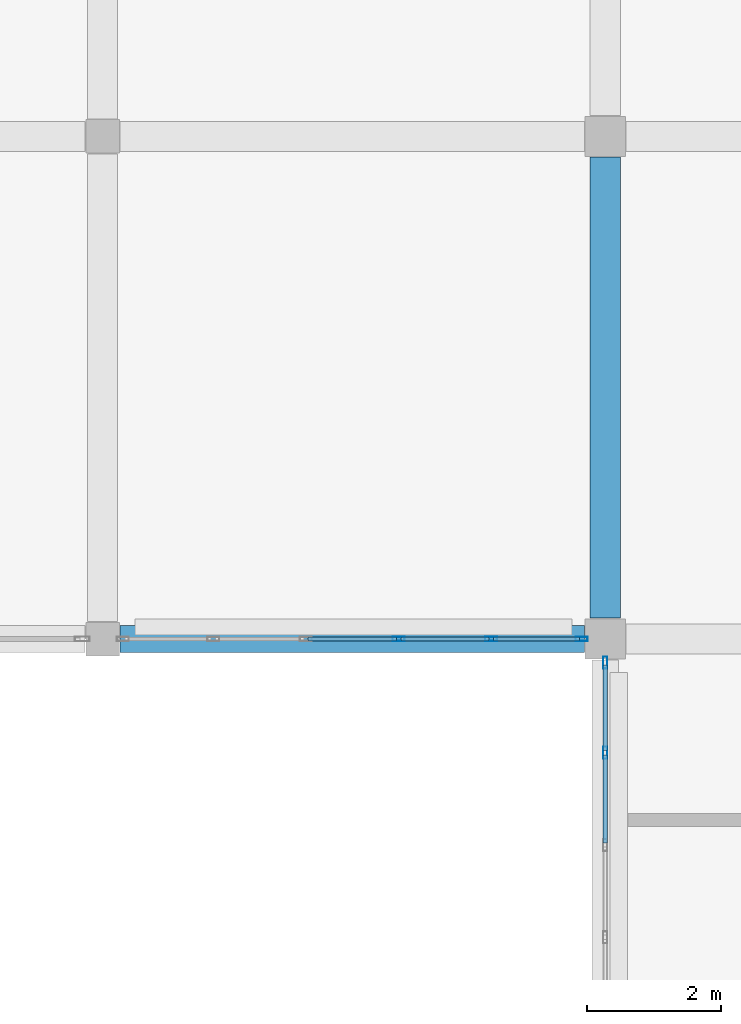
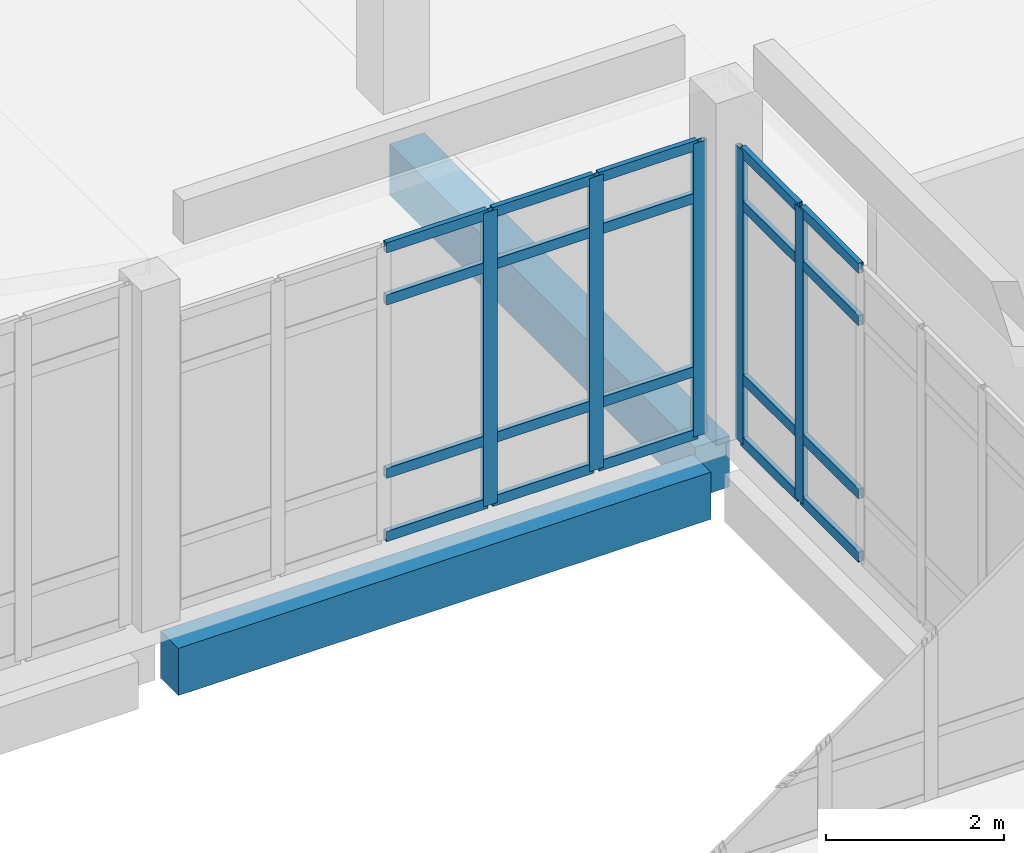
# One storey, part 68 of 173: 25 members, 2 beams, 2 elements without a shape of their own.
"""IFC4 building model written with IfcOpenShell, lengths in metres."""

from ifc_helpers import new_model, si_unit, direction, frame, origin, origin_2d, place, context, subcontext, project, spatial, rectangle, hollow_rectangle, extrude, material, layer, layer_set, material_profile, profile_set, type_object, element, aggregate, save


model = new_model("IFC4")

# Units and contexts
model_context = context("Model", 3, precision=1e-05, world=origin(), true_north=direction((0.0, 1.0)))
body_context = subcontext(model_context, "Body", "Model", "MODEL_VIEW")
ifc_project = project(units=[si_unit("LENGTHUNIT", "METRE"), si_unit("AREAUNIT", "SQUARE_METRE"), si_unit("VOLUMEUNIT", "CUBIC_METRE"), si_unit("PLANEANGLEUNIT", "RADIAN"), si_unit("MASSUNIT", "GRAM", prefix="KILO")], contexts=[model_context])

# Site, building, storey
site_placement = place(None, origin())
site = spatial("IfcSite", under=ifc_project, at=site_placement, CompositionType="ELEMENT")
building_placement = place(site_placement, origin())
building = spatial("IfcBuilding", under=site, at=building_placement, Name="Mawjan Specialist Oncology Clinic", CompositionType="ELEMENT")
storey_placement = place(building_placement, origin())
storey = spatial("IfcBuildingStorey", under=building, at=storey_placement, Name="L00", CompositionType="ELEMENT", Elevation=0.0)

# Beam
ifc_material_1 = material(Name="Concrete C40/50", Category="concrete")
ifc_material_profile_1 = material_profile(ifc_material_1, rectangle(XDim=0.449951171875, YDim=0.699951171875, at=origin_2d()), Name="RC BM 450x700", Category="concrete")
ifc_profile_set_1 = profile_set([ifc_material_profile_1], Name="Concrete C40/50")
beam_type_1 = type_object("IfcBeamType", Name="BM-450x700", PredefinedType="BEAM", material=ifc_profile_set_1)
beam_1_placement = place(storey_placement, frame((45.0, 83.610107421875, -0.77001953125), z_axis=(0.0, 1.0, 0.0), x_axis=(-1.0, 0.0, 0.0)))
element("IfcBeam", 1, at=beam_1_placement, inside=storey, type_object=beam_type_1, Name="L00 Collector Beam BM-L00-0123", PredefinedType="BEAM", context=body_context, shape_type="SweptSolid", body=[
    extrude(rectangle(XDim=0.449951171875, YDim=0.699951171875, at=origin_2d()), origin(), (0.0, 0.0, 1.0), 6.8798828125),
])

# Curtain wall, members
ifc_material_2 = material(Name="Unitised spectrally selective aluminium curtain wall", Category="aluminium")
ifc_layer_1 = layer(ifc_material_2, 0.179931640625, Name="Unitised spectrally selective aluminium curtain wall", Category="aluminium")
ifc_layer_set_1 = layer_set([ifc_layer_1], Name="Unitised spectrally selective aluminium curtain wall")
curtain_wall_type_1 = type_object("IfcCurtainWallType", Name="CW-10", PredefinedType="NOTDEFINED", material=ifc_layer_set_1)
curtain_wall_1_placement = place(storey_placement, origin())
curtain_wall_1 = element("IfcCurtainWall", 2, at=curtain_wall_1_placement, inside=storey, type_object=curtain_wall_type_1, Name="L00 Unitised Curtain Wall CW-L00-015", PredefinedType="NOTDEFINED")
ifc_material_3 = material(Name="Thermally broken aluminium 6063-T6", Category="aluminium")
ifc_material_profile_2 = material_profile(ifc_material_3, hollow_rectangle(XDim=0.06494140625, YDim=0.179931640625, WallThickness=0.00390625, at=origin_2d()), Name="ALU MULLION 180x65x4", Category="aluminium")
ifc_profile_set_2 = profile_set([ifc_material_profile_2], Name="Thermally broken aluminium 6063-T6")
member_type_1 = type_object("IfcMemberType", Name="CW-M180", PredefinedType="MULLION", material=ifc_profile_set_2)
member_1_placement = place(storey_placement, frame((45.0, 81.60302734375, 0.0), z_axis=(0.0, 0.0, 1.0), x_axis=(-1.0, 0.0, 0.0)))
member_1 = element("IfcMember", 3, at=member_1_placement, type_object=member_type_1, Name="CW-10 mullion 5", PredefinedType="MULLION", context=body_context, shape_type="SweptSolid", body=[
    extrude(hollow_rectangle(XDim=0.06494140625, YDim=0.179931640625, WallThickness=0.00390625, at=origin_2d()), origin(), (0.0, 0.0, 1.0), 4.034912109375),
])
member_2_placement = place(storey_placement, frame((45.0, 82.947509765625, 0.0), z_axis=(0.0, 0.0, 1.0), x_axis=(-1.0, 0.0, 0.0)))
member_2 = element("IfcMember", 4, at=member_2_placement, type_object=member_type_1, Name="CW-10 mullion 6", PredefinedType="MULLION", context=body_context, shape_type="SweptSolid", body=[
    extrude(hollow_rectangle(XDim=0.06494140625, YDim=0.179931640625, WallThickness=0.00390625, at=origin_2d()), origin(), (0.0, 0.0, 1.0), 4.034912109375),
])

ifc_material_4 = material(Name="Unitised spectrally selective aluminium curtain wall", Category="aluminium")
ifc_layer_2 = layer(ifc_material_4, 0.179931640625, Name="Unitised spectrally selective aluminium curtain wall", Category="aluminium")
ifc_layer_set_2 = layer_set([ifc_layer_2], Name="Unitised spectrally selective aluminium curtain wall")
curtain_wall_type_2 = type_object("IfcCurtainWallType", Name="CW-09", PredefinedType="NOTDEFINED", material=ifc_layer_set_2)
curtain_wall_2_placement = place(storey_placement, origin())
curtain_wall_2 = element("IfcCurtainWall", 5, at=curtain_wall_2_placement, inside=storey, type_object=curtain_wall_type_2, Name="L00 Unitised Curtain Wall CW-L00-016", PredefinedType="NOTDEFINED")
member_3_placement = place(storey_placement, frame((44.6474609375, 83.300048828125, 0.0), z_axis=(0.0, 0.0, 1.0), x_axis=(0.0, -1.0, 0.0)))
member_3 = element("IfcMember", 6, at=member_3_placement, type_object=member_type_1, Name="CW-09 mullion 1", PredefinedType="MULLION", context=body_context, shape_type="SweptSolid", body=[
    extrude(hollow_rectangle(XDim=0.06494140625, YDim=0.179931640625, WallThickness=0.00390625, at=origin_2d()), origin(), (0.0, 0.0, 1.0), 4.034912109375),
])
member_4_placement = place(storey_placement, frame((43.298095703125, 83.300048828125, 0.0), z_axis=(0.0, 0.0, 1.0), x_axis=(0.0, -1.0, 0.0)))
member_4 = element("IfcMember", 7, at=member_4_placement, type_object=member_type_1, Name="CW-09 mullion 2", PredefinedType="MULLION", context=body_context, shape_type="SweptSolid", body=[
    extrude(hollow_rectangle(XDim=0.06494140625, YDim=0.179931640625, WallThickness=0.00390625, at=origin_2d()), origin(), (0.0, 0.0, 1.0), 4.034912109375),
])
member_5_placement = place(storey_placement, frame((41.916015625, 83.300048828125, 0.0), z_axis=(0.0, 0.0, 1.0), x_axis=(0.0, -1.0, 0.0)))
member_5 = element("IfcMember", 8, at=member_5_placement, type_object=member_type_1, Name="CW-09 mullion 3", PredefinedType="MULLION", context=body_context, shape_type="SweptSolid", body=[
    extrude(hollow_rectangle(XDim=0.06494140625, YDim=0.179931640625, WallThickness=0.00390625, at=origin_2d()), origin(), (0.0, 0.0, 1.0), 4.034912109375),
])

# Member
ifc_material_5 = material(Name="Thermally broken aluminium 6063-T6", Category="aluminium")
ifc_material_profile_3 = material_profile(ifc_material_5, hollow_rectangle(XDim=0.06494140625, YDim=0.139892578125, WallThickness=0.00390625, at=origin_2d()), Name="ALU TRANSOM 140x65x4", Category="aluminium")
ifc_profile_set_3 = profile_set([ifc_material_profile_3], Name="Thermally broken aluminium 6063-T6")
member_type_2 = type_object("IfcMemberType", Name="CW-T140", PredefinedType="USERDEFINED", material=ifc_profile_set_3)
member_6_placement = place(storey_placement, frame((45.0, 80.258544921875, 0.032470703125), z_axis=(0.0, 1.0, 0.0), x_axis=(-1.0, 0.0, 0.0)))
member_6 = element("IfcMember", 9, at=member_6_placement, type_object=member_type_2, Name="CW-10 transom 4.1", ObjectType="TRANSOM", PredefinedType="USERDEFINED", context=body_context, shape_type="SweptSolid", body=[
    extrude(hollow_rectangle(XDim=0.06494140625, YDim=0.139892578125, WallThickness=0.00390625, at=origin_2d()), origin(), (0.0, 0.0, 1.0), 1.31201171875),
])

member_7_placement = place(storey_placement, frame((45.0, 80.258544921875, 0.89990234375), z_axis=(0.0, 1.0, 0.0), x_axis=(-1.0, 0.0, 0.0)))
member_7 = element("IfcMember", 10, at=member_7_placement, type_object=member_type_2, Name="CW-10 transom 4.2", ObjectType="TRANSOM", PredefinedType="USERDEFINED", context=body_context, shape_type="SweptSolid", body=[
    extrude(hollow_rectangle(XDim=0.06494140625, YDim=0.139892578125, WallThickness=0.00390625, at=origin_2d()), origin(), (0.0, 0.0, 1.0), 1.31201171875),
])

member_8_placement = place(storey_placement, frame((45.0, 80.258544921875, 3.284912109375), z_axis=(0.0, 1.0, 0.0), x_axis=(-1.0, 0.0, 0.0)))
member_8 = element("IfcMember", 11, at=member_8_placement, type_object=member_type_2, Name="CW-10 transom 4.3", ObjectType="TRANSOM", PredefinedType="USERDEFINED", context=body_context, shape_type="SweptSolid", body=[
    extrude(hollow_rectangle(XDim=0.06494140625, YDim=0.139892578125, WallThickness=0.00390625, at=origin_2d()), origin(), (0.0, 0.0, 1.0), 1.31201171875),
])

member_9_placement = place(storey_placement, frame((45.0, 80.258544921875, 4.00244140625), z_axis=(0.0, 1.0, 0.0), x_axis=(-1.0, 0.0, 0.0)))
member_9 = element("IfcMember", 12, at=member_9_placement, type_object=member_type_2, Name="CW-10 transom 4.4", ObjectType="TRANSOM", PredefinedType="USERDEFINED", context=body_context, shape_type="SweptSolid", body=[
    extrude(hollow_rectangle(XDim=0.06494140625, YDim=0.139892578125, WallThickness=0.00390625, at=origin_2d()), origin(), (0.0, 0.0, 1.0), 1.31201171875),
])

member_10_placement = place(storey_placement, frame((45.0, 81.635498046875, 0.032470703125), z_axis=(0.0, 1.0, 0.0), x_axis=(-1.0, 0.0, 0.0)))
member_10 = element("IfcMember", 13, at=member_10_placement, type_object=member_type_2, Name="CW-10 transom 5.1", ObjectType="TRANSOM", PredefinedType="USERDEFINED", context=body_context, shape_type="SweptSolid", body=[
    extrude(hollow_rectangle(XDim=0.06494140625, YDim=0.139892578125, WallThickness=0.00390625, at=origin_2d()), origin(), (0.0, 0.0, 1.0), 1.279541015625),
])

member_11_placement = place(storey_placement, frame((45.0, 81.635498046875, 0.89990234375), z_axis=(0.0, 1.0, 0.0), x_axis=(-1.0, 0.0, 0.0)))
member_11 = element("IfcMember", 14, at=member_11_placement, type_object=member_type_2, Name="CW-10 transom 5.2", ObjectType="TRANSOM", PredefinedType="USERDEFINED", context=body_context, shape_type="SweptSolid", body=[
    extrude(hollow_rectangle(XDim=0.06494140625, YDim=0.139892578125, WallThickness=0.00390625, at=origin_2d()), origin(), (0.0, 0.0, 1.0), 1.279541015625),
])

member_12_placement = place(storey_placement, frame((45.0, 81.635498046875, 3.284912109375), z_axis=(0.0, 1.0, 0.0), x_axis=(-1.0, 0.0, 0.0)))
member_12 = element("IfcMember", 15, at=member_12_placement, type_object=member_type_2, Name="CW-10 transom 5.3", ObjectType="TRANSOM", PredefinedType="USERDEFINED", context=body_context, shape_type="SweptSolid", body=[
    extrude(hollow_rectangle(XDim=0.06494140625, YDim=0.139892578125, WallThickness=0.00390625, at=origin_2d()), origin(), (0.0, 0.0, 1.0), 1.279541015625),
])

member_13_placement = place(storey_placement, frame((45.0, 81.635498046875, 4.00244140625), z_axis=(0.0, 1.0, 0.0), x_axis=(-1.0, 0.0, 0.0)))
member_13 = element("IfcMember", 16, at=member_13_placement, type_object=member_type_2, Name="CW-10 transom 5.4", ObjectType="TRANSOM", PredefinedType="USERDEFINED", context=body_context, shape_type="SweptSolid", body=[
    extrude(hollow_rectangle(XDim=0.06494140625, YDim=0.139892578125, WallThickness=0.00390625, at=origin_2d()), origin(), (0.0, 0.0, 1.0), 1.279541015625),
])

aggregate(curtain_wall_1, [member_1, member_2, member_6, member_7, member_8, member_9, member_10, member_11, member_12, member_13])

member_14_placement = place(storey_placement, frame((44.614990234375, 83.300048828125, 0.032470703125), z_axis=(-1.0, 0.0, 0.0), x_axis=(0.0, -1.0, 0.0)))
member_14 = element("IfcMember", 17, at=member_14_placement, type_object=member_type_2, Name="CW-09 transom 1.1", ObjectType="TRANSOM", PredefinedType="USERDEFINED", context=body_context, shape_type="SweptSolid", body=[
    extrude(hollow_rectangle(XDim=0.06494140625, YDim=0.139892578125, WallThickness=0.00390625, at=origin_2d()), origin(), (0.0, 0.0, 1.0), 1.284423828125),
])

member_15_placement = place(storey_placement, frame((44.614990234375, 83.300048828125, 0.89990234375), z_axis=(-1.0, 0.0, 0.0), x_axis=(0.0, -1.0, 0.0)))
member_15 = element("IfcMember", 18, at=member_15_placement, type_object=member_type_2, Name="CW-09 transom 1.2", ObjectType="TRANSOM", PredefinedType="USERDEFINED", context=body_context, shape_type="SweptSolid", body=[
    extrude(hollow_rectangle(XDim=0.06494140625, YDim=0.139892578125, WallThickness=0.00390625, at=origin_2d()), origin(), (0.0, 0.0, 1.0), 1.284423828125),
])

member_16_placement = place(storey_placement, frame((44.614990234375, 83.300048828125, 3.284912109375), z_axis=(-1.0, 0.0, 0.0), x_axis=(0.0, -1.0, 0.0)))
member_16 = element("IfcMember", 19, at=member_16_placement, type_object=member_type_2, Name="CW-09 transom 1.3", ObjectType="TRANSOM", PredefinedType="USERDEFINED", context=body_context, shape_type="SweptSolid", body=[
    extrude(hollow_rectangle(XDim=0.06494140625, YDim=0.139892578125, WallThickness=0.00390625, at=origin_2d()), origin(), (0.0, 0.0, 1.0), 1.284423828125),
])

member_17_placement = place(storey_placement, frame((44.614990234375, 83.300048828125, 4.00244140625), z_axis=(-1.0, 0.0, 0.0), x_axis=(0.0, -1.0, 0.0)))
member_17 = element("IfcMember", 20, at=member_17_placement, type_object=member_type_2, Name="CW-09 transom 1.4", ObjectType="TRANSOM", PredefinedType="USERDEFINED", context=body_context, shape_type="SweptSolid", body=[
    extrude(hollow_rectangle(XDim=0.06494140625, YDim=0.139892578125, WallThickness=0.00390625, at=origin_2d()), origin(), (0.0, 0.0, 1.0), 1.284423828125),
])

member_18_placement = place(storey_placement, frame((43.265380859375, 83.300048828125, 0.032470703125), z_axis=(-1.0, 0.0, 0.0), x_axis=(0.0, -1.0, 0.0)))
member_18 = element("IfcMember", 21, at=member_18_placement, type_object=member_type_2, Name="CW-09 transom 2.1", ObjectType="TRANSOM", PredefinedType="USERDEFINED", context=body_context, shape_type="SweptSolid", body=[
    extrude(hollow_rectangle(XDim=0.06494140625, YDim=0.139892578125, WallThickness=0.00390625, at=origin_2d()), origin(), (0.0, 0.0, 1.0), 1.31689453125),
])

member_19_placement = place(storey_placement, frame((43.265380859375, 83.300048828125, 0.89990234375), z_axis=(-1.0, 0.0, 0.0), x_axis=(0.0, -1.0, 0.0)))
member_19 = element("IfcMember", 22, at=member_19_placement, type_object=member_type_2, Name="CW-09 transom 2.2", ObjectType="TRANSOM", PredefinedType="USERDEFINED", context=body_context, shape_type="SweptSolid", body=[
    extrude(hollow_rectangle(XDim=0.06494140625, YDim=0.139892578125, WallThickness=0.00390625, at=origin_2d()), origin(), (0.0, 0.0, 1.0), 1.31689453125),
])

member_20_placement = place(storey_placement, frame((43.265380859375, 83.300048828125, 3.284912109375), z_axis=(-1.0, 0.0, 0.0), x_axis=(0.0, -1.0, 0.0)))
member_20 = element("IfcMember", 23, at=member_20_placement, type_object=member_type_2, Name="CW-09 transom 2.3", ObjectType="TRANSOM", PredefinedType="USERDEFINED", context=body_context, shape_type="SweptSolid", body=[
    extrude(hollow_rectangle(XDim=0.06494140625, YDim=0.139892578125, WallThickness=0.00390625, at=origin_2d()), origin(), (0.0, 0.0, 1.0), 1.31689453125),
])

member_21_placement = place(storey_placement, frame((43.265380859375, 83.300048828125, 4.00244140625), z_axis=(-1.0, 0.0, 0.0), x_axis=(0.0, -1.0, 0.0)))
member_21 = element("IfcMember", 24, at=member_21_placement, type_object=member_type_2, Name="CW-09 transom 2.4", ObjectType="TRANSOM", PredefinedType="USERDEFINED", context=body_context, shape_type="SweptSolid", body=[
    extrude(hollow_rectangle(XDim=0.06494140625, YDim=0.139892578125, WallThickness=0.00390625, at=origin_2d()), origin(), (0.0, 0.0, 1.0), 1.31689453125),
])

member_22_placement = place(storey_placement, frame((41.883544921875, 83.300048828125, 0.032470703125), z_axis=(-1.0, 0.0, 0.0), x_axis=(0.0, -1.0, 0.0)))
member_22 = element("IfcMember", 25, at=member_22_placement, type_object=member_type_2, Name="CW-09 transom 3.1", ObjectType="TRANSOM", PredefinedType="USERDEFINED", context=body_context, shape_type="SweptSolid", body=[
    extrude(hollow_rectangle(XDim=0.06494140625, YDim=0.139892578125, WallThickness=0.00390625, at=origin_2d()), origin(), (0.0, 0.0, 1.0), 1.317138671875),
])

member_23_placement = place(storey_placement, frame((41.883544921875, 83.300048828125, 0.89990234375), z_axis=(-1.0, 0.0, 0.0), x_axis=(0.0, -1.0, 0.0)))
member_23 = element("IfcMember", 26, at=member_23_placement, type_object=member_type_2, Name="CW-09 transom 3.2", ObjectType="TRANSOM", PredefinedType="USERDEFINED", context=body_context, shape_type="SweptSolid", body=[
    extrude(hollow_rectangle(XDim=0.06494140625, YDim=0.139892578125, WallThickness=0.00390625, at=origin_2d()), origin(), (0.0, 0.0, 1.0), 1.317138671875),
])

member_24_placement = place(storey_placement, frame((41.883544921875, 83.300048828125, 3.284912109375), z_axis=(-1.0, 0.0, 0.0), x_axis=(0.0, -1.0, 0.0)))
member_24 = element("IfcMember", 27, at=member_24_placement, type_object=member_type_2, Name="CW-09 transom 3.3", ObjectType="TRANSOM", PredefinedType="USERDEFINED", context=body_context, shape_type="SweptSolid", body=[
    extrude(hollow_rectangle(XDim=0.06494140625, YDim=0.139892578125, WallThickness=0.00390625, at=origin_2d()), origin(), (0.0, 0.0, 1.0), 1.317138671875),
])

member_25_placement = place(storey_placement, frame((41.883544921875, 83.300048828125, 4.00244140625), z_axis=(-1.0, 0.0, 0.0), x_axis=(0.0, -1.0, 0.0)))
member_25 = element("IfcMember", 28, at=member_25_placement, type_object=member_type_2, Name="CW-09 transom 3.4", ObjectType="TRANSOM", PredefinedType="USERDEFINED", context=body_context, shape_type="SweptSolid", body=[
    extrude(hollow_rectangle(XDim=0.06494140625, YDim=0.139892578125, WallThickness=0.00390625, at=origin_2d()), origin(), (0.0, 0.0, 1.0), 1.317138671875),
])

aggregate(curtain_wall_2, [member_3, member_4, member_5, member_14, member_15, member_16, member_17, member_18, member_19, member_20, member_21, member_22, member_23, member_24, member_25])

# Beam
ifc_material_6 = material(Name="Concrete C45/55", Category="concrete")
ifc_material_profile_4 = material_profile(ifc_material_6, rectangle(XDim=0.39990234375, YDim=0.64990234375, at=origin_2d()), Name="RC BM 400x650", Category="concrete")
ifc_profile_set_4 = profile_set([ifc_material_profile_4], Name="Concrete C45/55")
beam_type_2 = type_object("IfcBeamType", Name="SP-400x650", PredefinedType="SPANDREL", material=ifc_profile_set_4)
beam_2_placement = place(storey_placement, frame((37.760009765625, 83.300048828125, -0.7451171875), z_axis=(1.0, 0.0, 0.0), x_axis=(0.0, 1.0, 0.0)))
element("IfcBeam", 29, at=beam_2_placement, inside=storey, type_object=beam_type_2, Name="L00 Spandrel Beam BM-L00-0025", PredefinedType="SPANDREL", context=body_context, shape_type="SweptSolid", body=[
    extrude(rectangle(XDim=0.39990234375, YDim=0.64990234375, at=origin_2d()), origin(), (0.0, 0.0, 1.0), 6.929931640625),
])

save(model, "model.ifc")
